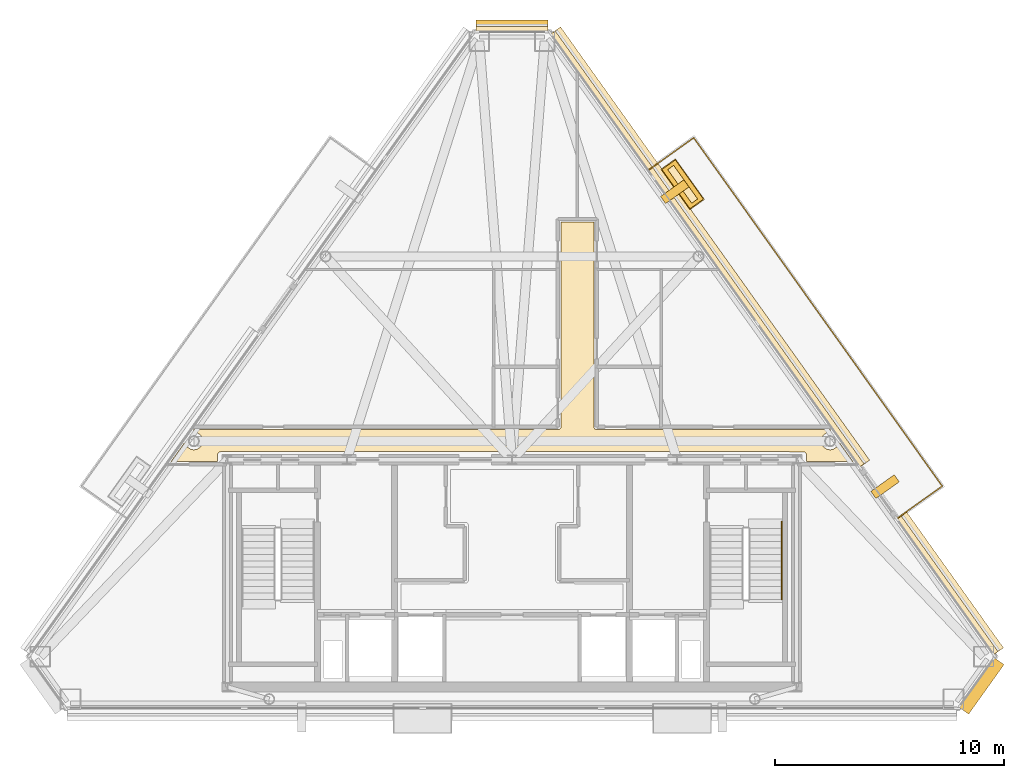
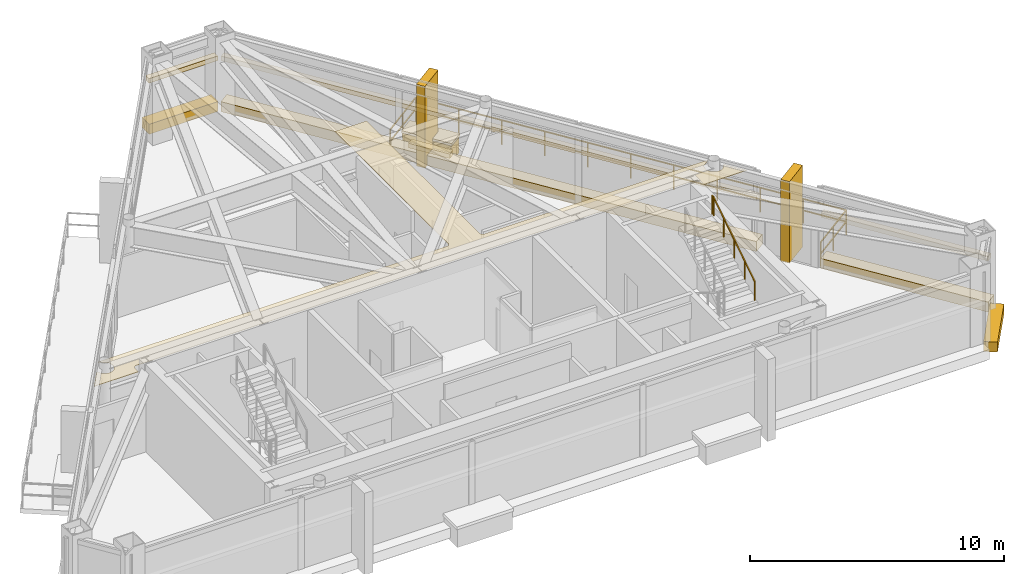
# One storey, part 7 of 7: 13 coverings, 2 railings.
"""IFC4 building model written with IfcOpenShell, lengths in metres."""

from ifc_helpers import new_model, si_unit, direction, frame, origin, origin_2d, place, context, subcontext, project, spatial, polyline, rectangle, outline, extrude, material, layer, layer_set, type_object, element, save


model = new_model("IFC4")

# Units and contexts
model_context = context("Model", 3, precision=1e-05, world=origin(), true_north=direction((0.0, 1.0)))
body_context = subcontext(model_context, "Body", "Model", "MODEL_VIEW")
ifc_project = project(units=[si_unit("LENGTHUNIT", "METRE"), si_unit("AREAUNIT", "SQUARE_METRE"), si_unit("VOLUMEUNIT", "CUBIC_METRE"), si_unit("PLANEANGLEUNIT", "RADIAN"), si_unit("MASSUNIT", "GRAM", prefix="KILO")], contexts=[model_context])

# Site, building, storey
site_placement = place(None, origin())
site = spatial("IfcSite", under=ifc_project, at=site_placement, CompositionType="ELEMENT")
building_placement = place(site_placement, origin())
building = spatial("IfcBuilding", under=site, at=building_placement, Name="Talgorran Terracotta Tower", CompositionType="ELEMENT")
storey_placement = place(building_placement, frame((0.0, 0.0, 293.39990234375)))
storey = spatial("IfcBuildingStorey", under=building, at=storey_placement, Name="L77", CompositionType="ELEMENT", Elevation=293.39990234375)

# Coverings
ifc_material_1 = material(Name="Kiln-Fired Terracotta Ochre Ceramic", Category="masonry")
ifc_layer_1 = layer(ifc_material_1, 0.179931640625, Name="COV_BAGUETTE_TERRACOTTA_SCREEN")
ifc_layer_set_1 = layer_set([ifc_layer_1], Name="Kiln-Fired Terracotta Ochre Ceramic")
covering_type_1 = type_object("IfcCoveringType", Name="COV_BAGUETTE_TERRACOTTA_SCREEN", PredefinedType="CLADDING", material=ifc_layer_set_1)
covering_1_placement = place(storey_placement, frame((18.9716796875, -9.677734375, 2.41015625), z_axis=(0.0, 0.0, 1.0), x_axis=(-0.580773998481, 0.814064839364, 0.0)))
element("IfcCovering", 1, at=covering_1_placement, inside=storey, type_object=covering_type_1, Name="L77 Terracotta Baguette Solar Screen Assembly F40", PredefinedType="CLADDING", context=body_context, shape_type="SweptSolid", body=[
    extrude(rectangle(XDim=7.245361328125, YDim=0.260009765625, at=origin_2d()), origin(), (0.0, 0.0, 1.0), 0.219970703125),
])
covering_2_placement = place(storey_placement, frame((8.509765625, 4.98681640625, 2.41015625), z_axis=(0.0, 0.0, 1.0), x_axis=(-0.580759790281, 0.814074975658, 0.0)))
element("IfcCovering", 2, at=covering_2_placement, inside=storey, type_object=covering_type_1, Name="L77 Terracotta Baguette Solar Screen Assembly F41", PredefinedType="CLADDING", context=body_context, shape_type="SweptSolid", body=[
    extrude(rectangle(XDim=23.1826171875, YDim=0.260009765625, at=origin_2d()), origin(), (0.0, 0.0, 1.0), 0.219970703125),
])
covering_3_placement = place(storey_placement, frame((0.0, 14.5546875, 2.41015625), z_axis=(0.0, 0.0, 1.0), x_axis=(-1.0, 0.0, 0.0)))
element("IfcCovering", 3, at=covering_3_placement, inside=storey, type_object=covering_type_1, Name="L77 Terracotta Baguette Solar Screen Assembly F4", PredefinedType="CLADDING", context=body_context, shape_type="SweptSolid", body=[
    extrude(rectangle(XDim=3.12548828125, YDim=0.260009765625, at=origin_2d()), origin(), (0.0, 0.0, 1.0), 0.219970703125),
])
ifc_material_2 = material(Name="Mineral Fibre Acoustic Tile")
ifc_layer_2 = layer(ifc_material_2, 0.02490234375, Name="COV_CEIL_ACOUSTIC")
ifc_layer_set_2 = layer_set([ifc_layer_2], Name="Mineral Fibre Acoustic Tile")
covering_type_2 = type_object("IfcCoveringType", Name="COV_CEIL_ACOUSTIC", PredefinedType="CEILING", material=ifc_layer_set_2)
covering_4_placement = place(storey_placement, frame((0.0, 0.0, 3.7900390625)))
element("IfcCovering", 4, at=covering_4_placement, inside=storey, type_object=covering_type_2, Name="CEIL-L77-2", PredefinedType="CEILING", context=body_context, shape_type="SweptSolid", body=[
    extrude(outline(polyline([(-13.5185546875, -3.23828125), (-13.517822265625, -3.2294921875), (-13.51806640625, -3.2177734375), (-13.519287109375, -3.2060546875), (-13.52197265625, -3.194580078125), (-13.525634765625, -3.183349609375), (-13.5302734375, -3.172607421875), (-13.535888671875, -3.162109375), (-13.542724609375, -3.152587890625), (-13.55029296875, -3.1435546875), (-13.558837890625, -3.135498046875), (-13.568115234375, -3.128173828125), (-13.885498046875, -2.901611328125), (-13.873779296875, -2.885009765625), (2.0, -2.885009765625), (2.01171875, -2.884521484375), (2.023193359375, -2.8828125), (2.03466796875, -2.8798828125), (2.04296875, -2.87744140625), (2.053955078125, -2.87353515625), (2.064697265625, -2.868408203125), (2.07470703125, -2.8623046875), (2.084228515625, -2.85546875), (2.093017578125, -2.847412109375), (2.100830078125, -2.8388671875), (2.1064453125, -2.83203125), (2.113525390625, -2.822509765625), (2.11962890625, -2.8125), (2.124755859375, -2.8017578125), (2.128662109375, -2.79052734375), (2.131591796875, -2.779296875), (2.13330078125, -2.767578125), (2.1337890625, -2.755615234375), (2.135009765625, 6.1650390625), (3.56494140625, 6.1650390625), (3.56494140625, -2.75), (3.565673828125, -2.76171875), (3.5673828125, -2.773193359375), (3.570068359375, -2.78466796875), (3.572509765625, -2.79296875), (3.576416015625, -2.803955078125), (3.58154296875, -2.814697265625), (3.587646484375, -2.82470703125), (3.594482421875, -2.834228515625), (3.6025390625, -2.843017578125), (3.611083984375, -2.850830078125), (3.617919921875, -2.8564453125), (3.62744140625, -2.863525390625), (3.6376953125, -2.86962890625), (3.648193359375, -2.874755859375), (3.659423828125, -2.878662109375), (3.6708984375, -2.881591796875), (3.6826171875, -2.88330078125), (3.6943359375, -2.8837890625), (13.873779296875, -2.885009765625), (13.885498046875, -2.901611328125), (13.568115234375, -3.128173828125), (13.558837890625, -3.135498046875), (13.55029296875, -3.1435546875), (13.542724609375, -3.152587890625), (13.535888671875, -3.162109375), (13.5302734375, -3.172607421875), (13.525634765625, -3.183349609375), (13.52197265625, -3.194580078125), (13.519287109375, -3.2060546875), (13.51806640625, -3.2177734375), (13.517822265625, -3.2294921875), (13.5185546875, -3.23828125), (13.51806640625, -3.239501953125), (13.51416015625, -3.250732421875), (13.51123046875, -3.26220703125), (13.491455078125, -3.361083984375), (13.48974609375, -3.37255859375), (13.4892578125, -3.384521484375), (13.48974609375, -3.396240234375), (13.491455078125, -3.40771484375), (13.51123046875, -3.506591796875), (13.51416015625, -3.51806640625), (13.51806640625, -3.529296875), (13.523193359375, -3.539794921875), (13.529052734375, -3.5498046875), (13.585205078125, -3.6337890625), (13.592041015625, -3.643310546875), (13.60009765625, -3.652099609375), (13.60888671875, -3.659912109375), (13.618408203125, -3.6669921875), (13.7021484375, -3.722900390625), (13.71240234375, -3.72900390625), (13.722900390625, -3.734130859375), (13.73388671875, -3.738037109375), (13.745361328125, -3.740966796875), (13.84423828125, -3.760498046875), (13.85595703125, -3.76220703125), (13.86767578125, -3.762939453125), (13.87939453125, -3.76220703125), (13.89111328125, -3.760498046875), (13.989990234375, -3.740966796875), (14.00146484375, -3.738037109375), (14.012451171875, -3.734130859375), (14.023193359375, -3.72900390625), (14.033203125, -3.722900390625), (14.1171875, -3.6669921875), (14.126708984375, -3.659912109375), (14.135498046875, -3.652099609375), (14.143310546875, -3.643310546875), (14.150390625, -3.6337890625), (14.206298828125, -3.5498046875), (14.21240234375, -3.539794921875), (14.21728515625, -3.529296875), (14.22119140625, -3.51806640625), (14.22412109375, -3.506591796875), (14.226806640625, -3.493408203125), (14.280517578125, -3.455078125), (14.8583984375, -4.264892578125), (12.8349609375, -4.264892578125), (12.8349609375, -3.978515625), (12.834228515625, -3.966796875), (12.83251953125, -3.955078125), (12.829833984375, -3.94384765625), (12.82568359375, -3.9326171875), (12.822509765625, -3.9248046875), (12.817626953125, -3.914306640625), (12.8115234375, -3.904296875), (12.8046875, -3.894775390625), (12.797119140625, -3.88623046875), (12.788330078125, -3.87841796875), (12.779052734375, -3.871337890625), (12.77197265625, -3.866455078125), (12.76171875, -3.860107421875), (12.7509765625, -3.85498046875), (12.73974609375, -3.850830078125), (12.728271484375, -3.847900390625), (12.71630859375, -3.84619140625), (12.704345703125, -3.845703125), (7.432861328125, -3.844970703125), (6.968017578125, -3.843017578125), (6.967529296875, -3.843017578125), (0.232666015625, -3.844970703125), (-0.23193359375, -3.843017578125), (-0.232421875, -3.843017578125), (-6.96728515625, -3.844970703125), (-7.431884765625, -3.843017578125), (-7.4326171875, -3.843017578125), (-12.699951171875, -3.844970703125), (-12.711669921875, -3.845703125), (-12.723388671875, -3.847412109375), (-12.734619140625, -3.85009765625), (-12.742919921875, -3.8525390625), (-12.75390625, -3.8564453125), (-12.7646484375, -3.861572265625), (-12.77490234375, -3.86767578125), (-12.7841796875, -3.87451171875), (-12.79296875, -3.882568359375), (-12.80078125, -3.89111328125), (-12.806396484375, -3.89794921875), (-12.813720703125, -3.907470703125), (-12.819580078125, -3.91748046875), (-12.82470703125, -3.927978515625), (-12.82861328125, -3.939208984375), (-12.83154296875, -3.95068359375), (-12.833251953125, -3.962158203125), (-12.833984375, -3.97412109375), (-12.834716796875, -4.264892578125), (-14.8583984375, -4.264892578125), (-14.280517578125, -3.455078125), (-14.226806640625, -3.493408203125), (-14.22412109375, -3.506591796875), (-14.22119140625, -3.51806640625), (-14.21728515625, -3.529296875), (-14.21240234375, -3.539794921875), (-14.206298828125, -3.5498046875), (-14.150390625, -3.6337890625), (-14.143310546875, -3.643310546875), (-14.135498046875, -3.652099609375), (-14.126708984375, -3.659912109375), (-14.1171875, -3.6669921875), (-14.033203125, -3.722900390625), (-14.023193359375, -3.72900390625), (-14.012451171875, -3.734130859375), (-14.00146484375, -3.738037109375), (-13.989990234375, -3.740966796875), (-13.89111328125, -3.760498046875), (-13.87939453125, -3.76220703125), (-13.86767578125, -3.762939453125), (-13.85595703125, -3.76220703125), (-13.84423828125, -3.760498046875), (-13.745361328125, -3.740966796875), (-13.73388671875, -3.738037109375), (-13.722900390625, -3.734130859375), (-13.71240234375, -3.72900390625), (-13.7021484375, -3.722900390625), (-13.618408203125, -3.6669921875), (-13.60888671875, -3.659912109375), (-13.60009765625, -3.652099609375), (-13.592041015625, -3.643310546875), (-13.585205078125, -3.6337890625), (-13.529052734375, -3.5498046875), (-13.523193359375, -3.539794921875), (-13.51806640625, -3.529296875), (-13.51416015625, -3.51806640625), (-13.51123046875, -3.506591796875), (-13.491455078125, -3.40771484375), (-13.48974609375, -3.396240234375), (-13.4892578125, -3.384521484375), (-13.48974609375, -3.37255859375), (-13.491455078125, -3.361083984375), (-13.51123046875, -3.26220703125), (-13.51416015625, -3.250732421875), (-13.51806640625, -3.239501953125), (-13.5185546875, -3.23828125)])), origin(), (0.0, 0.0, 1.0), 0.02001953125),
])
ifc_material_3 = material(Name="Honed Limestone and Terracotta Planter", Category="masonry")
ifc_layer_3 = layer(ifc_material_3, 0.1201171875, Name="COV_PLANTER_BOX")
ifc_layer_set_3 = layer_set([ifc_layer_3], Name="Honed Limestone and Terracotta Planter")
covering_type_3 = type_object("IfcCoveringType", Name="COV_PLANTER_BOX", PredefinedType="CLADDING", material=ifc_layer_set_3)
covering_5_placement = place(storey_placement, frame((7.439697265625, 7.81298828125, -0.02001953125), z_axis=(0.0, 0.0, 1.0), x_axis=(-0.580759790281, 0.814074975658, 0.0)))
element("IfcCovering", 5, at=covering_5_placement, inside=storey, type_object=covering_type_3, Name="L77 Staggered Balcony Planter Box TERR-NE", PredefinedType="CLADDING", context=body_context, shape_type="SweptSolid", body=[
    extrude(rectangle(XDim=2.10009765625, YDim=0.719970703125, at=origin_2d()), origin(), (0.0, 0.0, 1.0), 0.860107421875),
])
ifc_material_4 = material(Name="Kiln-Fired Terracotta Planter Rim", Category="masonry")
ifc_layer_4 = layer(ifc_material_4, 0.10009765625, Name="COV_PLANTER_RIM")
ifc_layer_set_4 = layer_set([ifc_layer_4], Name="Kiln-Fired Terracotta Planter Rim")
covering_type_4 = type_object("IfcCoveringType", Name="COV_PLANTER_RIM", PredefinedType="CLADDING", material=ifc_layer_set_4)
covering_6_placement = place(storey_placement, frame((7.439697265625, 7.81298828125, 0.800048828125), z_axis=(0.0, 0.0, 1.0), x_axis=(-0.580759790281, 0.814074975658, 0.0)))
element("IfcCovering", 6, at=covering_6_placement, inside=storey, type_object=covering_type_4, Name="L77 Balcony Planter Terracotta Rim TERR-NE", PredefinedType="CLADDING", context=body_context, shape_type="SweptSolid", body=[
    extrude(rectangle(XDim=2.179931640625, YDim=0.780029296875, at=origin_2d()), origin(), (0.0, 0.0, 1.0), 0.1201171875),
])
covering_7_placement = place(storey_placement, frame((7.439697265625, 7.81298828125, 0.0), z_axis=(0.0, 0.0, 1.0), x_axis=(-0.580759790281, 0.814074975658, 0.0)))
element("IfcCovering", 7, at=covering_7_placement, inside=storey, type_object=covering_type_4, Name="L77 Sky Terrace Planter Curb 1", PredefinedType="CLADDING", context=body_context, shape_type="SweptSolid", body=[
    extrude(rectangle(XDim=1.800048828125, YDim=0.320068359375, at=origin_2d()), origin(), (0.0, 0.0, 1.0), 0.219970703125),
])
ifc_material_5 = material(Name="Honed Limestone Cladding", Category="masonry")
ifc_layer_5 = layer(ifc_material_5, 0.094970703125, Name="COV_PORTAL_LIME")
ifc_layer_set_5 = layer_set([ifc_layer_5], Name="Honed Limestone Cladding")
covering_type_5 = type_object("IfcCoveringType", Name="COV_PORTAL_LIME", PredefinedType="CLADDING", material=ifc_layer_set_5)
covering_8_placement = place(storey_placement, frame((16.262939453125, -5.364501953125, -0.0498046875), z_axis=(0.0, 0.0, 1.0), x_axis=(-0.580759790281, 0.814074975658, 0.0)))
element("IfcCovering", 8, at=covering_8_placement, inside=storey, type_object=covering_type_5, Name="L77 White Striped Portal Fin F3-1", PredefinedType="CLADDING", context=body_context, shape_type="SweptSolid", body=[
    extrude(rectangle(XDim=0.3798828125, YDim=1.25, at=origin_2d()), origin(), (0.0, 0.0, 1.0), 3.929931640625),
])
ifc_material_6 = material(Name="Kiln-Fired Terracotta Cladding", Category="masonry")
ifc_layer_6 = layer(ifc_material_6, 0.090087890625, Name="COV_PORTAL_TERRA")
ifc_layer_set_6 = layer_set([ifc_layer_6], Name="Kiln-Fired Terracotta Cladding")
covering_type_6 = type_object("IfcCoveringType", Name="COV_PORTAL_TERRA", PredefinedType="CLADDING", material=ifc_layer_set_6)
covering_9_placement = place(storey_placement, frame((20.448974609375, -14.041748046875, -0.039794921875), z_axis=(0.0, 0.0, 1.0), x_axis=(0.580759790281, 0.814074975658, 0.0)))
element("IfcCovering", 9, at=covering_9_placement, inside=storey, type_object=covering_type_6, Name="L77 Striped Postmodern Portal Cladding Band F2", PredefinedType="CLADDING", context=body_context, shape_type="SweptSolid", body=[
    extrude(rectangle(XDim=2.650390625, YDim=0.56005859375, at=origin_2d()), origin(), (0.0, 0.0, 1.0), 0.47998046875),
])
covering_10_placement = place(storey_placement, frame((19.085693359375, -9.596435546875, -0.039794921875), z_axis=(0.0, 0.0, 1.0), x_axis=(-0.580773998481, 0.814064839364, 0.0)))
element("IfcCovering", 10, at=covering_10_placement, inside=storey, type_object=covering_type_6, Name="L77 Striped Postmodern Portal Cladding Band F40", PredefinedType="CLADDING", context=body_context, shape_type="SweptSolid", body=[
    extrude(rectangle(XDim=7.265380859375, YDim=0.56005859375, at=origin_2d()), origin(), (0.0, 0.0, 1.0), 0.47998046875),
])
covering_11_placement = place(storey_placement, frame((8.623779296875, 5.068115234375, -0.039794921875), z_axis=(0.0, 0.0, 1.0), x_axis=(-0.580759790281, 0.814074975658, 0.0)))
element("IfcCovering", 11, at=covering_11_placement, inside=storey, type_object=covering_type_6, Name="L77 Striped Postmodern Portal Cladding Band F41", PredefinedType="CLADDING", context=body_context, shape_type="SweptSolid", body=[
    extrude(rectangle(XDim=23.202392578125, YDim=0.56005859375, at=origin_2d()), origin(), (0.0, 0.0, 1.0), 0.47998046875),
])
covering_12_placement = place(storey_placement, frame((0.0, 14.694580078125, -0.039794921875), z_axis=(0.0, 0.0, 1.0), x_axis=(-1.0, 0.0, 0.0)))
element("IfcCovering", 12, at=covering_12_placement, inside=storey, type_object=covering_type_6, Name="L77 Striped Postmodern Portal Cladding Band F4", PredefinedType="CLADDING", context=body_context, shape_type="SweptSolid", body=[
    extrude(rectangle(XDim=3.1455078125, YDim=0.56005859375, at=origin_2d()), origin(), (0.0, 0.0, 1.0), 0.47998046875),
])
covering_13_placement = place(storey_placement, frame((7.093017578125, 7.48974609375, -0.0498046875), z_axis=(0.0, 0.0, 1.0), x_axis=(-0.580759790281, 0.814074975658, 0.0)))
element("IfcCovering", 13, at=covering_13_placement, inside=storey, type_object=covering_type_6, Name="L77 Terracotta Striped Portal Fin F3-2", PredefinedType="CLADDING", context=body_context, shape_type="SweptSolid", body=[
    extrude(rectangle(XDim=0.3798828125, YDim=1.25, at=origin_2d()), origin(), (0.0, 0.0, 1.0), 3.929931640625),
])

# Railings
ifc_material_7 = material(Name="Steel S355 (300PLUS)", Category="steel")
railing_type_1 = type_object("IfcRailingType", Name="RL_HANDRAIL_920", PredefinedType="HANDRAIL", material=ifc_material_7)
railing_1_placement = place(storey_placement, frame((11.75, -10.280029296875, 2.275146484375)))
element("IfcRailing", 14, at=railing_1_placement, inside=storey, type_object=railing_type_1, Name="L77 ST-02 stair handrail 2", PredefinedType="HANDRAIL", context=body_context, shape_type="SweptSolid", body=[
    extrude(rectangle(XDim=0.048095703125, YDim=0.048095703125, at=origin_2d()), frame((0.0, 0.0, 0.89599609375), z_axis=(0.0, 0.840693329249, 0.541511519874), x_axis=(-1.0, 0.0, 0.0)), (0.0, 0.0, 1.0), 3.877685546875),
    extrude(rectangle(XDim=0.048095703125, YDim=0.048095703125, at=origin_2d()), frame((0.0, 3.260009765625, 2.99560546875), z_axis=(0.0, 1.0, 0.0), x_axis=(-1.0, 0.0, 0.0)), (0.0, 0.0, 1.0), 0.1201171875),
    extrude(rectangle(XDim=0.0419921875, YDim=0.0419921875, at=origin_2d()), origin(), (0.0, 0.0, 1.0), 0.871826171875),
    extrude(rectangle(XDim=0.0419921875, YDim=0.0419921875, at=origin_2d()), frame((0.0, 0.81494140625, 0.52490234375)), (0.0, 0.0, 1.0), 0.871826171875),
    extrude(rectangle(XDim=0.0419921875, YDim=0.0419921875, at=origin_2d()), frame((0.0, 1.6298828125, 1.0498046875)), (0.0, 0.0, 1.0), 0.871826171875),
    extrude(rectangle(XDim=0.0419921875, YDim=0.0419921875, at=origin_2d()), frame((0.0, 2.445068359375, 1.574951171875)), (0.0, 0.0, 1.0), 0.871826171875),
    extrude(rectangle(XDim=0.0419921875, YDim=0.0419921875, at=origin_2d()), frame((0.0, 3.260009765625, 2.099853515625)), (0.0, 0.0, 1.0), 0.871826171875),
    extrude(rectangle(XDim=0.0419921875, YDim=0.0419921875, at=origin_2d()), frame((0.0, 3.380126953125, 2.099853515625)), (0.0, 0.0, 1.0), 0.871826171875),
])
ifc_material_8 = material(Name="Laminated Glass and Stainless Steel 316", Category="steel")
railing_type_2 = type_object("IfcRailingType", Name="RL_TERRACE_1200", PredefinedType="GUARDRAIL", material=ifc_material_8)
railing_2_placement = place(storey_placement, frame((16.78515625, -6.750732421875, 0.0)))
element("IfcRailing", 15, at=railing_2_placement, inside=storey, type_object=railing_type_2, Name="RL-L77-BAL-TERR-NE", PredefinedType="GUARDRAIL", context=body_context, shape_type="SweptSolid", body=[
    extrude(rectangle(XDim=0.048095703125, YDim=0.048095703125, at=origin_2d()), frame((0.0, 0.0, 1.17578125), z_axis=(0.814046916535, 0.580799119902, 0.0), x_axis=(-0.580799119902, 0.814046916535, 0.0)), (0.0, 0.0, 1.0), 2.419921875),
    extrude(rectangle(XDim=0.048095703125, YDim=0.048095703125, at=origin_2d()), frame((0.0, 0.0, 0.6240234375), z_axis=(0.814046916535, 0.580799119902, 0.0), x_axis=(-0.580799119902, 0.814046916535, 0.0)), (0.0, 0.0, 1.0), 2.419921875),
    extrude(rectangle(XDim=0.048095703125, YDim=0.048095703125, at=origin_2d()), frame((1.969970703125, 1.405517578125, 1.17578125), z_axis=(-0.580754000675, 0.814079105923, 0.0), x_axis=(-0.814079105923, -0.580754000675, 0.0)), (0.0, 0.0, 1.0), 18.6533203125),
    extrude(rectangle(XDim=0.048095703125, YDim=0.048095703125, at=origin_2d()), frame((1.969970703125, 1.405517578125, 0.6240234375), z_axis=(-0.580754000675, 0.814079105923, 0.0), x_axis=(-0.814079105923, -0.580754000675, 0.0)), (0.0, 0.0, 1.0), 18.6533203125),
    extrude(rectangle(XDim=0.048095703125, YDim=0.048095703125, at=origin_2d()), frame((-8.863037109375, 16.5908203125, 1.17578125), z_axis=(-0.814080943885, -0.580751424281, 0.0), x_axis=(0.580751424281, -0.814080943885, 0.0)), (0.0, 0.0, 1.0), 2.420166015625),
    extrude(rectangle(XDim=0.048095703125, YDim=0.048095703125, at=origin_2d()), frame((-8.863037109375, 16.5908203125, 0.6240234375), z_axis=(-0.814080943885, -0.580751424281, 0.0), x_axis=(0.580751424281, -0.814080943885, 0.0)), (0.0, 0.0, 1.0), 2.420166015625),
    extrude(rectangle(XDim=0.0419921875, YDim=0.0419921875, at=origin_2d()), origin(), (0.0, 0.0, 1.0), 1.15185546875),
    extrude(rectangle(XDim=0.0419921875, YDim=0.0419921875, at=origin_2d()), frame((0.98486328125, 0.70263671875, 0.0)), (0.0, 0.0, 1.0), 1.15185546875),
    extrude(rectangle(XDim=0.0419921875, YDim=0.0419921875, at=origin_2d()), frame((1.969970703125, 1.405517578125, 0.0)), (0.0, 0.0, 1.0), 1.15185546875),
    extrude(rectangle(XDim=0.0419921875, YDim=0.0419921875, at=origin_2d()), frame((0.88671875, 2.924072265625, 0.0)), (0.0, 0.0, 1.0), 1.15185546875),
    extrude(rectangle(XDim=0.0419921875, YDim=0.0419921875, at=origin_2d()), frame((-0.196533203125, 4.442626953125, 0.0)), (0.0, 0.0, 1.0), 1.15185546875),
    extrude(rectangle(XDim=0.0419921875, YDim=0.0419921875, at=origin_2d()), frame((-1.280029296875, 5.961181640625, 0.0)), (0.0, 0.0, 1.0), 1.15185546875),
    extrude(rectangle(XDim=0.0419921875, YDim=0.0419921875, at=origin_2d()), frame((-2.36328125, 7.479736328125, 0.0)), (0.0, 0.0, 1.0), 1.15185546875),
    extrude(rectangle(XDim=0.0419921875, YDim=0.0419921875, at=origin_2d()), frame((-3.446533203125, 8.998046875, 0.0)), (0.0, 0.0, 1.0), 1.15185546875),
    extrude(rectangle(XDim=0.0419921875, YDim=0.0419921875, at=origin_2d()), frame((-4.52978515625, 10.5166015625, 0.0)), (0.0, 0.0, 1.0), 1.15185546875),
    extrude(rectangle(XDim=0.0419921875, YDim=0.0419921875, at=origin_2d()), frame((-5.613037109375, 12.03515625, 0.0)), (0.0, 0.0, 1.0), 1.15185546875),
    extrude(rectangle(XDim=0.0419921875, YDim=0.0419921875, at=origin_2d()), frame((-6.696533203125, 13.5537109375, 0.0)), (0.0, 0.0, 1.0), 1.15185546875),
    extrude(rectangle(XDim=0.0419921875, YDim=0.0419921875, at=origin_2d()), frame((-7.77978515625, 15.072265625, 0.0)), (0.0, 0.0, 1.0), 1.15185546875),
    extrude(rectangle(XDim=0.0419921875, YDim=0.0419921875, at=origin_2d()), frame((-8.863037109375, 16.5908203125, 0.0)), (0.0, 0.0, 1.0), 1.15185546875),
    extrude(rectangle(XDim=0.0419921875, YDim=0.0419921875, at=origin_2d()), frame((-9.84814453125, 15.88818359375, 0.0)), (0.0, 0.0, 1.0), 1.15185546875),
    extrude(rectangle(XDim=0.0419921875, YDim=0.0419921875, at=origin_2d()), frame((-10.833251953125, 15.185302734375, 0.0)), (0.0, 0.0, 1.0), 1.15185546875),
])

save(model, "model.ifc")
